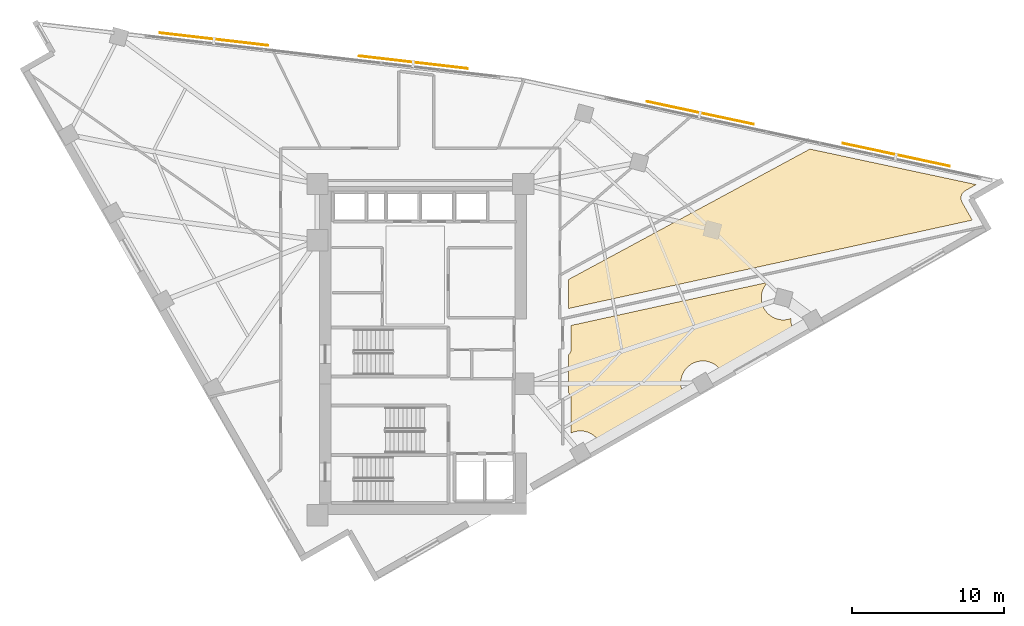
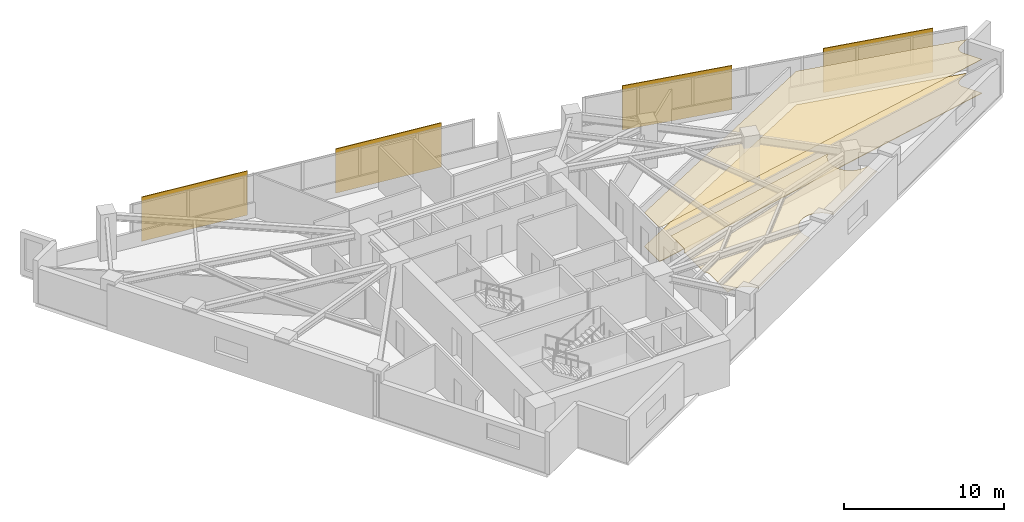
# One storey, part 14 of 14: 4 shading devices, 3 coverings.
"""IFC4 building model written with IfcOpenShell, lengths in metres."""

from ifc_helpers import new_model, si_unit, direction, frame, origin, origin_2d, place, context, subcontext, project, spatial, polyline, rectangle, outline, extrude, material, layer, layer_set, type_object, element, save


model = new_model("IFC4")

# Units and contexts
model_context = context("Model", 3, precision=1e-05, world=origin(), true_north=direction((0.0, 1.0)))
body_context = subcontext(model_context, "Body", "Model", "MODEL_VIEW")
ifc_project = project(units=[si_unit("LENGTHUNIT", "METRE"), si_unit("AREAUNIT", "SQUARE_METRE"), si_unit("VOLUMEUNIT", "CUBIC_METRE"), si_unit("PLANEANGLEUNIT", "RADIAN"), si_unit("MASSUNIT", "GRAM", prefix="KILO")], contexts=[model_context])

# Site, building, storey
site_placement = place(None, origin())
site = spatial("IfcSite", under=ifc_project, at=site_placement, CompositionType="ELEMENT")
building_placement = place(site_placement, origin())
building = spatial("IfcBuilding", under=site, at=building_placement, Name="Narakoshi Arena Tower", CompositionType="ELEMENT")
storey_placement = place(building_placement, frame((0.0, 0.0, 214.97998046875)))
storey = spatial("IfcBuildingStorey", under=building, at=storey_placement, Name="L58", CompositionType="ELEMENT", Elevation=214.97998046875)

# Coverings
ifc_material_1 = material(Name="Acoustic mineral-fibre ceiling tile")
ifc_layer_1 = layer(ifc_material_1, 0.02001953125)
ifc_layer_set_1 = layer_set([ifc_layer_1], Name="Acoustic mineral-fibre ceiling tile")
covering_type_1 = type_object("IfcCoveringType", Name="COV-CLG-AC20", PredefinedType="CEILING", material=ifc_layer_set_1)
covering_1_placement = place(storey_placement, frame((0.0, 0.0, 2.590087890625)))
element("IfcCovering", 1, at=covering_1_placement, inside=storey, type_object=covering_type_1, Name="L58 Suspended Acoustic Ceiling 1", PredefinedType="CEILING", context=body_context, shape_type="SweptSolid", body=[
    extrude(outline(polyline([(88.511474609375, 50.20751953125), (104.417236328125, 58.7998046875), (115.35791015625, 56.462890625), (114.636962890625, 56.05078125), (114.591552734375, 56.021728515625), (114.549072265625, 55.98828125), (114.510009765625, 55.950927734375), (114.47509765625, 55.909912109375), (114.444091796875, 55.86572265625), (114.417724609375, 55.818603515625), (114.39599609375, 55.769287109375), (114.37939453125, 55.718017578125), (114.36767578125, 55.665283203125), (114.361083984375, 55.61181640625), (114.360107421875, 55.5576171875), (114.3642578125, 55.50390625), (114.373779296875, 55.45068359375), (114.38818359375, 55.398681640625), (114.407958984375, 55.348388671875), (114.432373046875, 55.30029296875), (115.1044921875, 54.124267578125), (88.511474609375, 48.301513671875), (88.511474609375, 50.20751953125)])), origin(), (0.0, 0.0, 1.0), 0.02001953125),
])
ifc_material_2 = material(Name="Slatted oak acoustic timber baffle", Category="wood")
ifc_layer_2 = layer(ifc_material_2, 0.034912109375)
ifc_layer_set_2 = layer_set([ifc_layer_2], Name="Slatted oak acoustic timber baffle")
covering_type_2 = type_object("IfcCoveringType", Name="COV-CLG-WD35", PredefinedType="CEILING", material=ifc_layer_set_2)
covering_2_placement = place(storey_placement, frame((0.0, 0.0, 2.574951171875)))
element("IfcCovering", 2, at=covering_2_placement, inside=storey, type_object=covering_type_2, Name="L58 Suspended Acoustic Ceiling 2", PredefinedType="CEILING", context=body_context, shape_type="SweptSolid", body=[
    extrude(outline(polyline([(88.511474609375, 45.236083984375), (88.538818359375, 45.260986328125), (88.5751953125, 45.301025390625), (88.607421875, 45.344482421875), (88.635009765625, 45.390625), (88.658203125, 45.439453125), (88.67626953125, 45.490234375), (88.689453125, 45.542724609375), (88.697509765625, 45.59619140625), (88.699951171875, 45.64990234375), (88.699951171875, 47.1923828125), (101.6337890625, 50.024169921875), (101.5478515625, 49.929443359375), (101.463134765625, 49.815185546875), (101.389892578125, 49.693115234375), (101.3291015625, 49.564453125), (101.28125, 49.430419921875), (101.24658203125, 49.29248046875), (101.225830078125, 49.151611328125), (101.21875, 49.009521484375), (101.225830078125, 48.867431640625), (101.24658203125, 48.7265625), (101.28125, 48.588623046875), (101.3291015625, 48.45458984375), (101.389892578125, 48.325927734375), (101.463134765625, 48.203857421875), (101.5478515625, 48.089599609375), (101.6435546875, 47.984130859375), (101.748779296875, 47.888671875), (101.86328125, 47.803955078125), (101.9853515625, 47.730712890625), (102.114013671875, 47.669921875), (102.247802734375, 47.621826171875), (102.385986328125, 47.58740234375), (102.526611328125, 47.56640625), (102.668701171875, 47.5595703125), (102.810791015625, 47.56640625), (102.95166015625, 47.58740234375), (103.089599609375, 47.621826171875), (103.1748046875, 47.65234375), (103.169921875, 47.550048828125), (103.1767578125, 47.407958984375), (103.19775390625, 47.26708984375), (103.232177734375, 47.129150390625), (103.2802734375, 46.9951171875), (103.341064453125, 46.866455078125), (103.35693359375, 46.83984375), (98.619384765625, 44.132080078125), (98.572509765625, 44.210205078125), (98.48779296875, 44.324462890625), (98.39208984375, 44.429931640625), (98.286865234375, 44.525390625), (98.172607421875, 44.610107421875), (98.05029296875, 44.683349609375), (97.921875, 44.744140625), (97.787841796875, 44.792236328125), (97.64990234375, 44.82666015625), (97.509033203125, 44.84765625), (97.366943359375, 44.8544921875), (97.224853515625, 44.84765625), (97.083984375, 44.82666015625), (96.946044921875, 44.792236328125), (96.81201171875, 44.744140625), (96.683349609375, 44.683349609375), (96.561279296875, 44.610107421875), (96.447021484375, 44.525390625), (96.341552734375, 44.429931640625), (96.24609375, 44.324462890625), (96.161376953125, 44.210205078125), (96.088134765625, 44.088134765625), (96.02734375, 43.95947265625), (95.979248046875, 43.825439453125), (95.94482421875, 43.6875), (95.923828125, 43.546630859375), (95.9169921875, 43.404541015625), (95.923828125, 43.262451171875), (95.94482421875, 43.12158203125), (95.979248046875, 42.983642578125), (96.02734375, 42.849609375), (96.088134765625, 42.72119140625), (96.10400390625, 42.6943359375), (90.560546875, 39.52587890625), (90.513671875, 39.604248046875), (90.428955078125, 39.718505859375), (90.333251953125, 39.823974609375), (90.227783203125, 39.91943359375), (90.113525390625, 40.004150390625), (89.991455078125, 40.077392578125), (89.86279296875, 40.13818359375), (89.72900390625, 40.186279296875), (89.5908203125, 40.220703125), (89.4501953125, 40.24169921875), (89.30810546875, 40.24853515625), (89.166015625, 40.24169921875), (89.025146484375, 40.220703125), (88.88720703125, 40.186279296875), (88.753173828125, 40.13818359375), (88.699951171875, 40.113037109375), (88.699951171875, 42.35009765625), (88.697509765625, 42.40380859375), (88.689453125, 42.457275390625), (88.67626953125, 42.509765625), (88.658203125, 42.560546875), (88.635009765625, 42.609375), (88.607421875, 42.655517578125), (88.5751953125, 42.698974609375), (88.538818359375, 42.739013671875), (88.511474609375, 42.763916015625), (88.511474609375, 45.236083984375)])), origin(), (0.0, 0.0, 1.0), 0.03515625),
])
ifc_material_3 = material(Name="Raised steel access floor panel", Category="steel")
ifc_layer_3 = layer(ifc_material_3, 0.044921875)
ifc_layer_set_3 = layer_set([ifc_layer_3], Name="Raised steel access floor panel")
covering_type_3 = type_object("IfcCoveringType", Name="COV-FLR-RF45", PredefinedType="FLOORING", material=ifc_layer_set_3)
covering_3_placement = place(storey_placement, origin())
element("IfcCovering", 3, at=covering_3_placement, inside=storey, type_object=covering_type_3, Name="L58 Raised Steel Access Floor", PredefinedType="FLOORING", context=body_context, shape_type="SweptSolid", body=[
    extrude(outline(polyline([(88.511474609375, 50.20751953125), (104.417236328125, 58.7998046875), (115.35791015625, 56.462890625), (114.636962890625, 56.05078125), (114.591552734375, 56.021728515625), (114.549072265625, 55.98828125), (114.510009765625, 55.950927734375), (114.47509765625, 55.909912109375), (114.444091796875, 55.86572265625), (114.417724609375, 55.818603515625), (114.39599609375, 55.769287109375), (114.37939453125, 55.718017578125), (114.36767578125, 55.665283203125), (114.361083984375, 55.61181640625), (114.360107421875, 55.5576171875), (114.3642578125, 55.50390625), (114.373779296875, 55.45068359375), (114.38818359375, 55.398681640625), (114.407958984375, 55.348388671875), (114.432373046875, 55.30029296875), (115.1044921875, 54.124267578125), (88.511474609375, 48.301513671875), (88.511474609375, 50.20751953125)])), origin(), (0.0, 0.0, 1.0), 0.044921875),
])

# Shading devices
ifc_material_4 = material(Name="Perforated bronze ceramic-metal composite")
ifc_layer_4 = layer(ifc_material_4, 0.06005859375)
ifc_layer_set_4 = layer_set([ifc_layer_4], Name="Perforated bronze ceramic-metal composite")
shading_device_type = type_object("IfcShadingDeviceType", Name="SHD-SCR-BRZ2", PredefinedType="USERDEFINED", material=ifc_layer_set_4)
for number, where, z_axis, x_axis, name in (
    (4, (110.10107421875, 58.42431640625, 0.0), (0.0, 0.0, 1.0), (-0.977936632473, 0.208901754101, 0.0), "L58 Perforated Bronze Solar Screen 1-1"),
    (5, (97.1923828125, 61.181640625, 0.0), (0.0, 0.0, 1.0), (-0.977936632473, 0.208901754101, 0.0), "L58 Perforated Bronze Solar Screen 1-2"),
    (6, (78.312255859375, 64.513916015625, 0.0), (0.0, 0.0, 1.0), (-0.993364739053, 0.115006500715, 0.0), "L58 Perforated Bronze Solar Screen 2-1"),
    (7, (65.199951171875, 66.031982421875, 0.0), (0.0, 0.0, 1.0), (-0.993364739053, 0.115006500715, 0.0), "L58 Perforated Bronze Solar Screen 2-2"),
):
    element("IfcShadingDevice", number, at=place(storey_placement, frame(where, z_axis=z_axis, x_axis=x_axis)), inside=storey, type_object=shading_device_type, Name=name, ObjectType="SOLAR SCREEN", PredefinedType="USERDEFINED", context=body_context, shape_type="SweptSolid", body=[
        extrude(rectangle(XDim=7.199951171875, YDim=0.06005859375, at=origin_2d()), origin(), (0.0, 0.0, 1.0), 3.3701171875),
    ])

save(model, "model.ifc")
